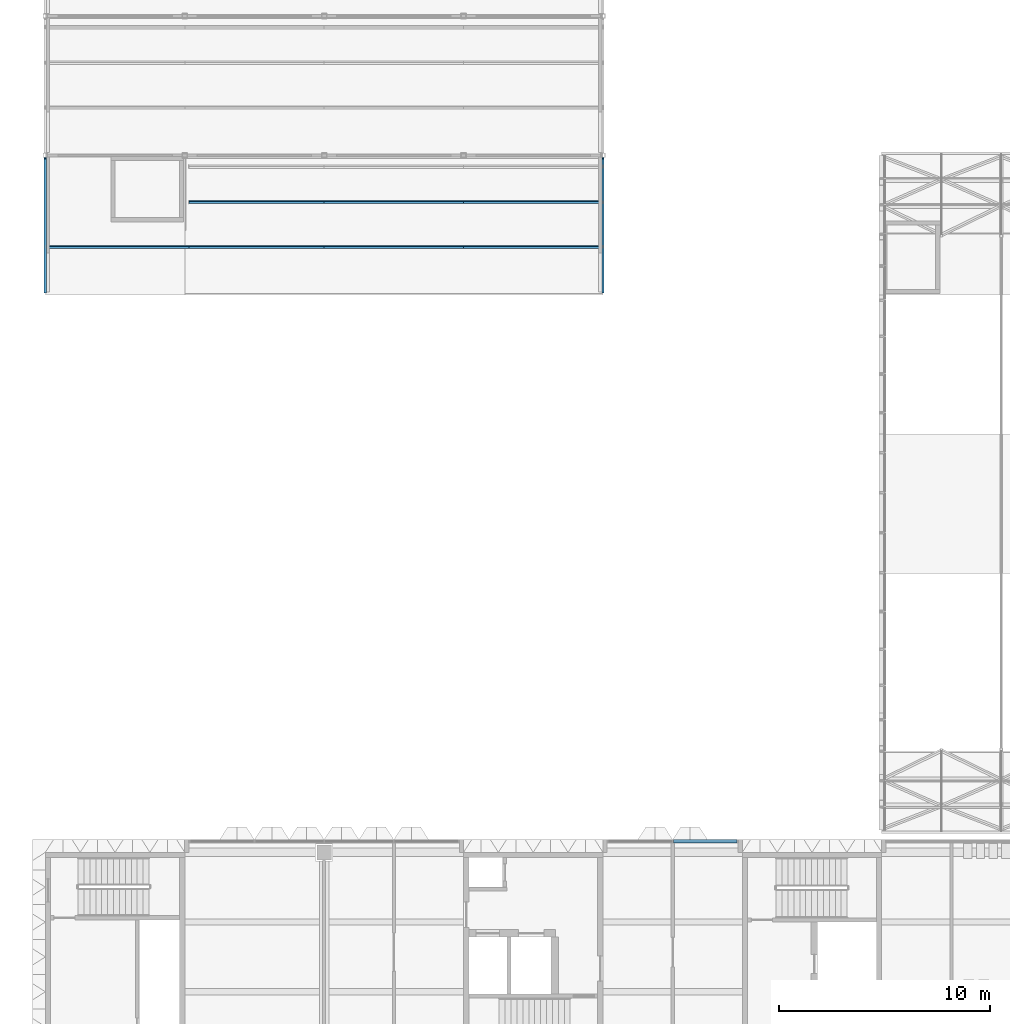
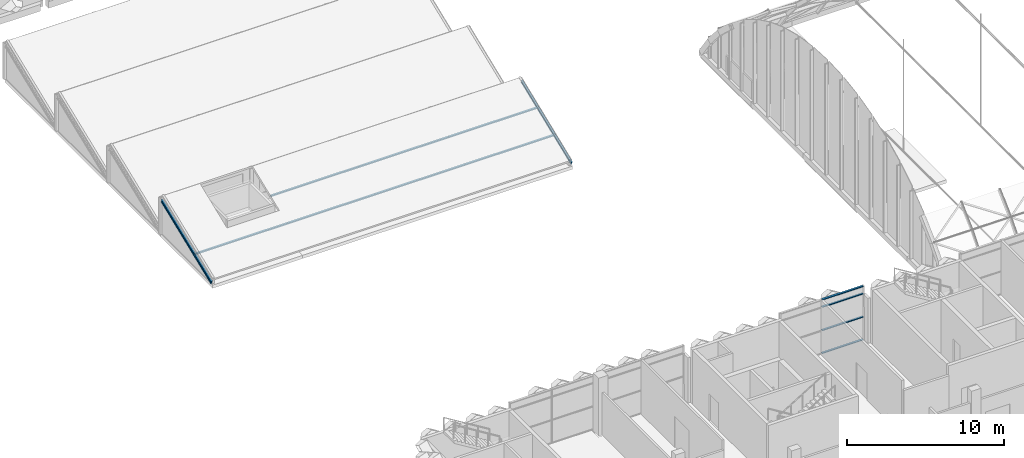
# One storey, part 13 of 109: 11 members, 2 beams, 1 element without a shape of its own.
"""IFC4 building model written with IfcOpenShell, lengths in metres."""

from ifc_helpers import new_model, si_unit, direction, frame, origin, origin_2d, place, context, subcontext, project, spatial, rectangle, hollow_rectangle, i_section, extrude, material, material_profile, profile_set, type_object, element, aggregate, save


model = new_model("IFC4")

# Units and contexts
model_context = context("Model", 3, precision=1e-05, world=origin(), true_north=direction((0.0, 1.0)))
body_context = subcontext(model_context, "Body", "Model", "MODEL_VIEW")
ifc_project = project(units=[si_unit("LENGTHUNIT", "METRE"), si_unit("AREAUNIT", "SQUARE_METRE"), si_unit("VOLUMEUNIT", "CUBIC_METRE"), si_unit("PLANEANGLEUNIT", "RADIAN"), si_unit("MASSUNIT", "GRAM", prefix="KILO")], contexts=[model_context])

# Site, building, storey
site_placement = place(None, origin())
site = spatial("IfcSite", under=ifc_project, at=site_placement, CompositionType="ELEMENT")
building_placement = place(site_placement, origin())
building = spatial("IfcBuilding", under=site, at=building_placement, Name="Lantern Court Research Institute", CompositionType="ELEMENT")
storey_placement = place(building_placement, frame((0.0, 0.0, 14.39990234375)))
storey = spatial("IfcBuildingStorey", under=building, at=storey_placement, Name="L03", CompositionType="ELEMENT", Elevation=14.39990234375)

# Beams
ifc_material_1 = material(Name="Structural steel S355", Category="steel")
ifc_material_profile_1 = material_profile(ifc_material_1, i_section(OverallWidth=0.110107421875, OverallDepth=0.219970703125, WebThickness=0.005859375, FlangeThickness=0.00927734375, FilletRadius=0.011962890625, at=origin_2d()), Name="IPE 220")
ifc_profile_set_1 = profile_set([ifc_material_profile_1], Name="Structural steel S355")
beam_type = type_object("IfcBeamType", Name="Sawtooth edge rafter IPE 220", PredefinedType="BEAM", material=ifc_profile_set_1)
for number, where, z_axis, x_axis, name in (
    (1, (0.0, 49.625, 0.12548828125), (0.0, 0.928476690885, 0.371390676354), (-1.0, 0.0, 0.0), "Sawtooth rafter"),
    (2, (26.39990234375, 49.625, 0.12548828125), (0.0, 0.928476690885, 0.371390676354), (-1.0, 0.0, 0.0), "Sawtooth rafter"),
):
    element("IfcBeam", number, at=place(storey_placement, frame(where, z_axis=z_axis, x_axis=x_axis)), inside=storey, type_object=beam_type, Name=name, PredefinedType="BEAM", context=body_context, shape_type="SweptSolid", body=[
        extrude(i_section(OverallWidth=0.110107421875, OverallDepth=0.219970703125, WebThickness=0.005859375, FlangeThickness=0.00927734375, FilletRadius=0.011962890625, at=origin_2d()), origin(), (0.0, 0.0, 1.0), 6.83935546875),
    ])

# Members
ifc_material_2 = material(Name="Structural steel S355", Category="steel")
ifc_material_profile_2 = material_profile(ifc_material_2, hollow_rectangle(XDim=0.10009765625, YDim=0.14990234375, WallThickness=0.00634765625, at=origin_2d()), Name="Sawtooth purlin RHS 150 x 100 x 6.3")
ifc_profile_set_2 = profile_set([ifc_material_profile_2], Name="Structural steel S355")
member_type_1 = type_object("IfcMemberType", Name="Sawtooth purlin RHS 150 x 100 x 6.3", PredefinedType="PURLIN", material=ifc_profile_set_2)
member_1_placement = place(storey_placement, frame((0.0, 51.76953125, 1.0478515625), z_axis=(1.0, 0.0, 0.0), x_axis=(0.0, 0.928476694038, 0.371390668473)))
element("IfcMember", 3, at=member_1_placement, inside=storey, type_object=member_type_1, Name="Sawtooth purlin", PredefinedType="PURLIN", context=body_context, shape_type="SweptSolid", body=[
    extrude(hollow_rectangle(XDim=0.10009765625, YDim=0.14990234375, WallThickness=0.00634765625, at=origin_2d()), origin(), (0.0, 0.0, 1.0), 6.79248046875),
])
member_2_placement = place(storey_placement, frame((6.79248046875, 51.76953125, 1.0478515625), z_axis=(1.0, 0.0, 0.0), x_axis=(0.0, 0.928476694038, 0.371390668473)))
element("IfcMember", 4, at=member_2_placement, inside=storey, type_object=member_type_1, Name="Sawtooth purlin", PredefinedType="PURLIN", context=body_context, shape_type="SweptSolid", body=[
    extrude(hollow_rectangle(XDim=0.10009765625, YDim=0.14990234375, WallThickness=0.00634765625, at=origin_2d()), origin(), (0.0, 0.0, 1.0), 6.407470703125),
])
member_3_placement = place(storey_placement, frame((13.199951171875, 51.76953125, 1.0478515625), z_axis=(1.0, 0.0, 0.0), x_axis=(0.0, 0.928476694038, 0.371390668473)))
element("IfcMember", 5, at=member_3_placement, inside=storey, type_object=member_type_1, Name="Sawtooth purlin", PredefinedType="PURLIN", context=body_context, shape_type="SweptSolid", body=[
    extrude(hollow_rectangle(XDim=0.10009765625, YDim=0.14990234375, WallThickness=0.00634765625, at=origin_2d()), origin(), (0.0, 0.0, 1.0), 6.60009765625),
])
member_4_placement = place(storey_placement, frame((19.800048828125, 51.76953125, 1.0478515625), z_axis=(1.0, 0.0, 0.0), x_axis=(0.0, 0.928476694038, 0.371390668473)))
element("IfcMember", 6, at=member_4_placement, inside=storey, type_object=member_type_1, Name="Sawtooth purlin", PredefinedType="PURLIN", context=body_context, shape_type="SweptSolid", body=[
    extrude(hollow_rectangle(XDim=0.10009765625, YDim=0.14990234375, WallThickness=0.00634765625, at=origin_2d()), origin(), (0.0, 0.0, 1.0), 6.599853515625),
])
member_5_placement = place(storey_placement, frame((6.79248046875, 53.88623046875, 1.89453125), z_axis=(1.0, 0.0, 0.0), x_axis=(0.0, 0.928476694038, 0.371390668473)))
element("IfcMember", 7, at=member_5_placement, inside=storey, type_object=member_type_1, Name="Sawtooth purlin", PredefinedType="PURLIN", context=body_context, shape_type="SweptSolid", body=[
    extrude(hollow_rectangle(XDim=0.10009765625, YDim=0.14990234375, WallThickness=0.00634765625, at=origin_2d()), origin(), (0.0, 0.0, 1.0), 6.407470703125),
])
member_6_placement = place(storey_placement, frame((13.199951171875, 53.88623046875, 1.89453125), z_axis=(1.0, 0.0, 0.0), x_axis=(0.0, 0.928476694038, 0.371390668473)))
element("IfcMember", 8, at=member_6_placement, inside=storey, type_object=member_type_1, Name="Sawtooth purlin", PredefinedType="PURLIN", context=body_context, shape_type="SweptSolid", body=[
    extrude(hollow_rectangle(XDim=0.10009765625, YDim=0.14990234375, WallThickness=0.00634765625, at=origin_2d()), origin(), (0.0, 0.0, 1.0), 6.60009765625),
])
member_7_placement = place(storey_placement, frame((19.800048828125, 53.88623046875, 1.89453125), z_axis=(1.0, 0.0, 0.0), x_axis=(0.0, 0.928476694038, 0.371390668473)))
element("IfcMember", 9, at=member_7_placement, inside=storey, type_object=member_type_1, Name="Sawtooth purlin", PredefinedType="PURLIN", context=body_context, shape_type="SweptSolid", body=[
    extrude(hollow_rectangle(XDim=0.10009765625, YDim=0.14990234375, WallThickness=0.00634765625, at=origin_2d()), origin(), (0.0, 0.0, 1.0), 6.599853515625),
])

# Curtain wall, members
ifc_material_3 = material(Name="Aluminium alloy 6063-T6", Category="aluminium")
curtain_wall_type = type_object("IfcCurtainWallType", Name="Curtain wall 6200 x 4200 x 150 aluminium frame", PredefinedType="NOTDEFINED", material=ifc_material_3)
curtain_wall_placement = place(storey_placement, origin())
curtain_wall = element("IfcCurtainWall", 10, at=curtain_wall_placement, inside=storey, type_object=curtain_wall_type, Name="Curtain wall CW046", PredefinedType="NOTDEFINED")
ifc_material_4 = material(Name="Aluminium alloy 6063-T6", Category="aluminium")
ifc_material_profile_3 = material_profile(ifc_material_4, rectangle(XDim=0.14990234375, YDim=0.06005859375, at=origin_2d()), Name="Transom 150 x 60")
ifc_profile_set_3 = profile_set([ifc_material_profile_3], Name="Aluminium alloy 6063-T6")
member_type_2 = type_object("IfcMemberType", Name="Transom 150 x 60 aluminium", PredefinedType="USERDEFINED", material=ifc_profile_set_3)
member_8_placement = place(storey_placement, frame((29.72998046875, 23.625, 0.030029296875), z_axis=(1.0, 0.0, 0.0), x_axis=(0.0, 1.0, 0.0)))
member_8 = element("IfcMember", 11, at=member_8_placement, type_object=member_type_2, Name="CW046 transom 2.1", ObjectType="TRANSOM", PredefinedType="USERDEFINED", context=body_context, shape_type="SweptSolid", body=[
    extrude(rectangle(XDim=0.14990234375, YDim=0.06005859375, at=origin_2d()), origin(), (0.0, 0.0, 1.0), 3.010009765625),
])
member_9_placement = place(storey_placement, frame((29.72998046875, 23.625, 1.800048828125), z_axis=(1.0, 0.0, 0.0), x_axis=(0.0, 1.0, 0.0)))
member_9 = element("IfcMember", 12, at=member_9_placement, type_object=member_type_2, Name="CW046 transom 2.2", ObjectType="TRANSOM", PredefinedType="USERDEFINED", context=body_context, shape_type="SweptSolid", body=[
    extrude(rectangle(XDim=0.14990234375, YDim=0.06005859375, at=origin_2d()), origin(), (0.0, 0.0, 1.0), 3.010009765625),
])
member_10_placement = place(storey_placement, frame((29.72998046875, 23.625, 3.60009765625), z_axis=(1.0, 0.0, 0.0), x_axis=(0.0, 1.0, 0.0)))
member_10 = element("IfcMember", 13, at=member_10_placement, type_object=member_type_2, Name="CW046 transom 2.3", ObjectType="TRANSOM", PredefinedType="USERDEFINED", context=body_context, shape_type="SweptSolid", body=[
    extrude(rectangle(XDim=0.14990234375, YDim=0.06005859375, at=origin_2d()), origin(), (0.0, 0.0, 1.0), 3.010009765625),
])
member_11_placement = place(storey_placement, frame((29.72998046875, 23.625, 4.170166015625), z_axis=(1.0, 0.0, 0.0), x_axis=(0.0, 1.0, 0.0)))
member_11 = element("IfcMember", 14, at=member_11_placement, type_object=member_type_2, Name="CW046 transom 2.4", ObjectType="TRANSOM", PredefinedType="USERDEFINED", context=body_context, shape_type="SweptSolid", body=[
    extrude(rectangle(XDim=0.14990234375, YDim=0.06005859375, at=origin_2d()), origin(), (0.0, 0.0, 1.0), 3.010009765625),
])
aggregate(curtain_wall, [member_8, member_9, member_10, member_11])

save(model, "model.ifc")
